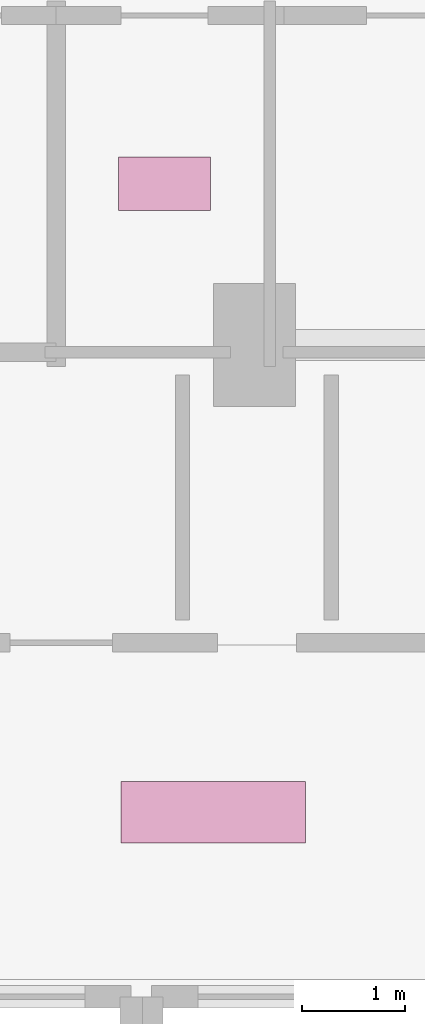
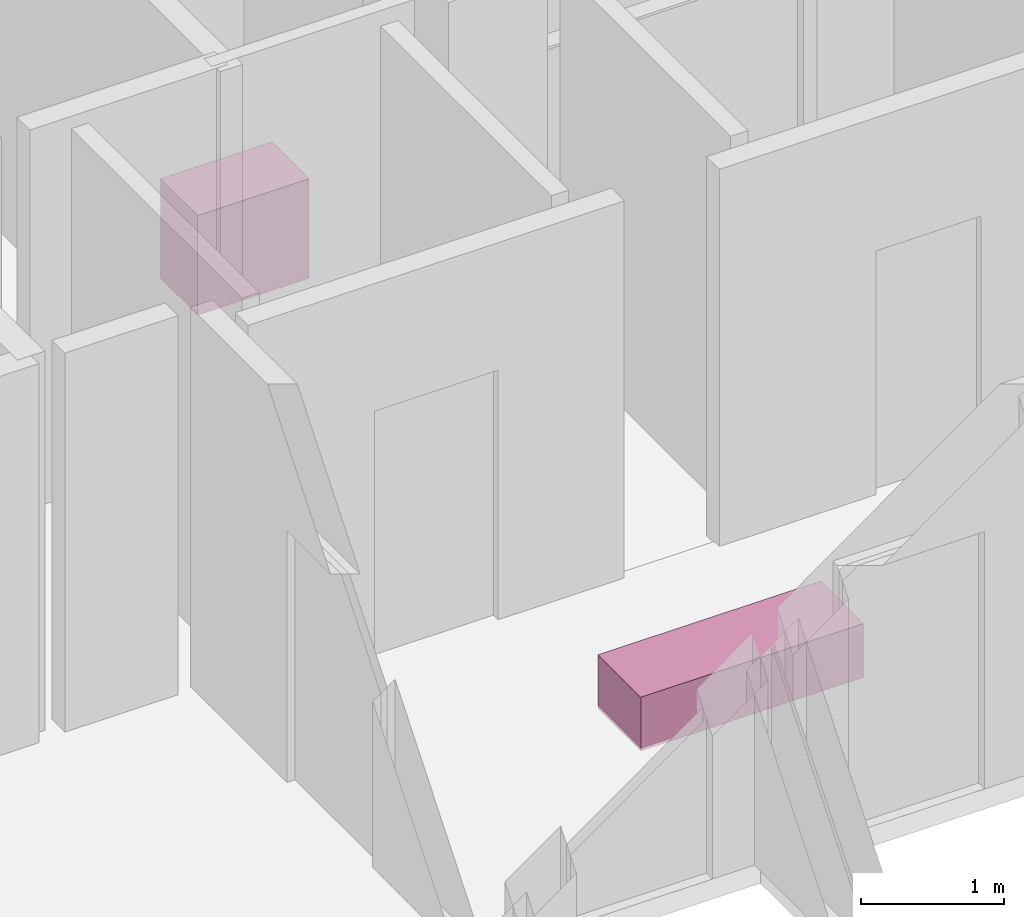
# One storey, part 28 of 28: 2 furnishings.
"""IFC4 building model written with IfcOpenShell, lengths in metres."""

from ifc_helpers import new_model, si_unit, direction, frame, origin, origin_2d, place, context, subcontext, project, spatial, rectangle, extrude, material, type_object, element, save


model = new_model("IFC4")

# Units and contexts
model_context = context("Model", 3, precision=1e-05, world=origin(), true_north=direction((0.0, 1.0)))
body_context = subcontext(model_context, "Body", "Model", "MODEL_VIEW")
ifc_project = project(units=[si_unit("LENGTHUNIT", "METRE"), si_unit("AREAUNIT", "SQUARE_METRE"), si_unit("VOLUMEUNIT", "CUBIC_METRE"), si_unit("PLANEANGLEUNIT", "RADIAN"), si_unit("MASSUNIT", "GRAM", prefix="KILO")], contexts=[model_context])

# Site, building, storey
site_placement = place(None, origin())
site = spatial("IfcSite", under=ifc_project, at=site_placement, CompositionType="ELEMENT")
building_placement = place(site_placement, origin())
building = spatial("IfcBuilding", under=site, at=building_placement, Name="Vorneva Point Tower", CompositionType="ELEMENT")
storey_placement = place(building_placement, frame((0.0, 0.0, 160.60009765625)))
storey = spatial("IfcBuildingStorey", under=building, at=storey_placement, Name="L43", CompositionType="ELEMENT", Elevation=160.60009765625)

# Furnishings
ifc_material_1 = material(Name="Engineered oak fire-rated door leaf", Category="wood")
furniture_type_1 = type_object("IfcFurnitureType", Name="FUR-BNC-1800", AssemblyPlace="NOTDEFINED", PredefinedType="NOTDEFINED", material=ifc_material_1)
furnishing_1_placement = place(storey_placement, frame((35.0, 26.0, -0.005126953125), z_axis=(0.0, 0.0, 1.0), x_axis=(1.0, 0.0, 0.0)))
element("IfcFurnishingElement", 1, at=furnishing_1_placement, inside=storey, type_object=furniture_type_1, Name="L43 Lift Lobby Seating Bench", ObjectType="L43 Lift Lobby Seating Bench", context=body_context, shape_type="SweptSolid", body=[
    extrude(rectangle(XDim=1.800048828125, YDim=0.60009765625, at=origin_2d()), origin(), (0.0, 0.0, 1.0), 0.4599609375),
])
ifc_material_2 = material(Name="Vitreous china and granite top", Category="masonry")
furniture_type_2 = type_object("IfcFurnitureType", Name="FUR-VAN-900", AssemblyPlace="NOTDEFINED", PredefinedType="NOTDEFINED", material=ifc_material_2)
furnishing_2_placement = place(storey_placement, frame((34.52490234375, 32.1201171875, -0.005126953125), z_axis=(0.0, 0.0, 1.0), x_axis=(1.0, 0.0, 0.0)))
element("IfcFurnishingElement", 2, at=furnishing_2_placement, inside=storey, type_object=furniture_type_2, Name="L43 Accessible WC Vanity Unit", ObjectType="L43 Accessible WC Vanity Unit", context=body_context, shape_type="SweptSolid", body=[
    extrude(rectangle(XDim=0.89990234375, YDim=0.52001953125, at=origin_2d()), origin(), (0.0, 0.0, 1.0), 0.85009765625),
])

save(model, "model.ifc")
